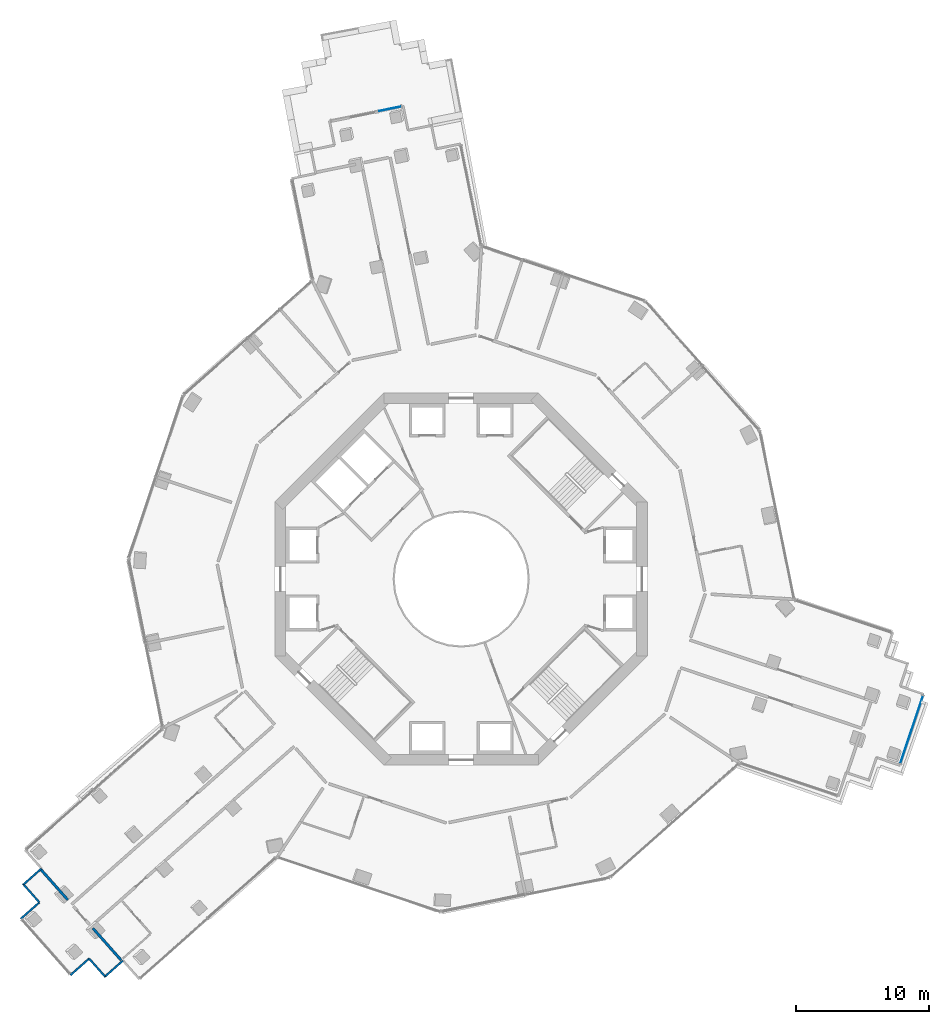
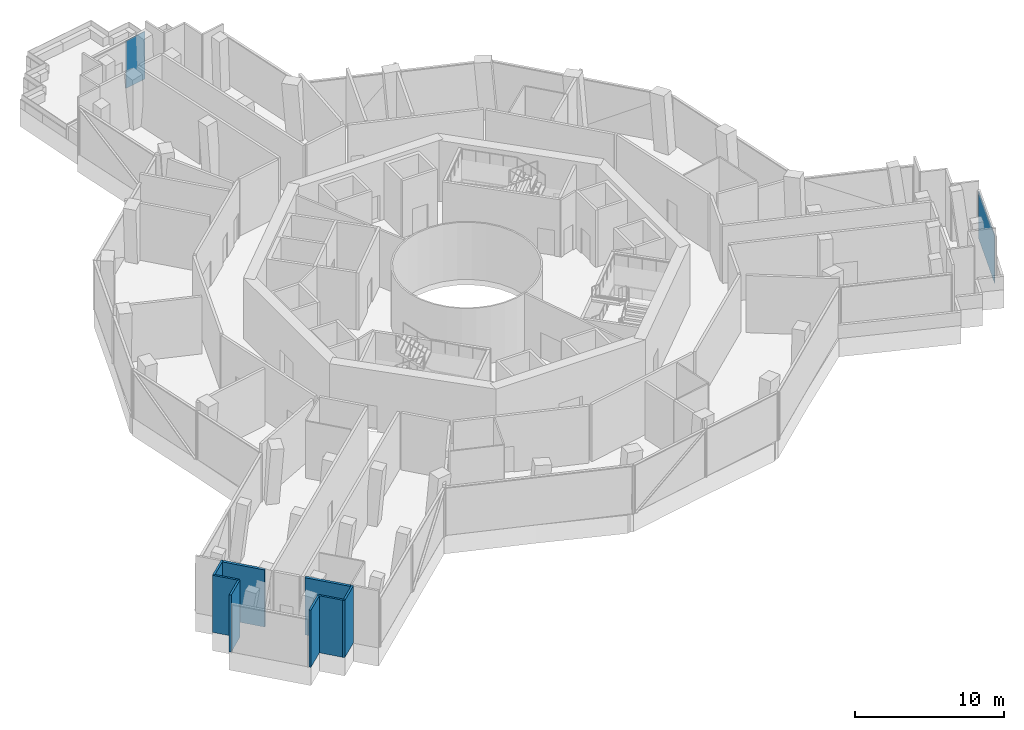
# One storey, part 9 of 20: 8 walls, 2 plates, 2 elements without a shape of their own.
"""IFC4 building model written with IfcOpenShell, lengths in metres."""

from ifc_helpers import new_model, si_unit, direction, frame, frame_2d, origin, origin_2d, place, context, subcontext, project, spatial, rectangle, extrude, material, layer, layer_set, type_object, element, aggregate, save


model = new_model("IFC4")

# Units and contexts
model_context = context("Model", 3, precision=1e-05, world=origin(), true_north=direction((0.0, 1.0)))
body_context = subcontext(model_context, "Body", "Model", "MODEL_VIEW")
ifc_project = project(units=[si_unit("LENGTHUNIT", "METRE"), si_unit("AREAUNIT", "SQUARE_METRE"), si_unit("VOLUMEUNIT", "CUBIC_METRE"), si_unit("PLANEANGLEUNIT", "RADIAN"), si_unit("MASSUNIT", "GRAM", prefix="KILO")], contexts=[model_context])

# Site, building, storey
site_placement = place(None, origin())
site = spatial("IfcSite", under=ifc_project, at=site_placement, CompositionType="ELEMENT")
building_placement = place(site_placement, origin())
building = spatial("IfcBuilding", under=site, at=building_placement, Name="Verdalira Terraces Hotel", CompositionType="ELEMENT")
storey_placement = place(building_placement, frame((0.0, 0.0, 81.0)))
storey = spatial("IfcBuildingStorey", under=building, at=storey_placement, Name="L18", CompositionType="ELEMENT", Elevation=81.0)

# Curtain wall, plate
ifc_material_1 = material(Name="Clear glass", Category="glass")
ifc_layer_1 = layer(ifc_material_1, 0.239990234375)
ifc_layer_set_1 = layer_set([ifc_layer_1], Name="CW5 curtain wall")
curtain_wall_type = type_object("IfcCurtainWallType", Name="CW5 curtain wall", PredefinedType="NOTDEFINED", material=ifc_layer_set_1)
curtain_wall_1_placement = place(storey_placement, origin())
curtain_wall_1 = element("IfcCurtainWall", 1, at=curtain_wall_1_placement, inside=storey, type_object=curtain_wall_type, Name="CW5 curtain wall L18 edge 5", PredefinedType="NOTDEFINED")
ifc_material_2 = material(Name="Clear glass", Category="glass")
ifc_layer_2 = layer(ifc_material_2, 0.0439453125)
ifc_layer_set_2 = layer_set([ifc_layer_2], Name="CW5 glass unit 44")
plate_type = type_object("IfcPlateType", Name="CW5 glass unit 44", PredefinedType="CURTAIN_PANEL", material=ifc_layer_set_2)
plate_1_placement = place(storey_placement, frame((-5.330811, 35.36792, 0.0), z_axis=(0.0, 0.0, 1.0), x_axis=(-0.979855052, -0.199709981, 0.0)))
plate_1 = element("IfcPlate", 2, at=plate_1_placement, type_object=plate_type, Name="CW5 glass unit", PredefinedType="CURTAIN_PANEL", context=body_context, shape_type="SweptSolid", body=[
    extrude(rectangle(XDim=1.679932, YDim=0.043945, at=origin_2d()), origin(), (0.0, 0.0, 1.0), 3.915039),
])
aggregate(curtain_wall_1, [plate_1])

curtain_wall_2_placement = place(storey_placement, origin())
curtain_wall_2 = element("IfcCurtainWall", 3, at=curtain_wall_2_placement, inside=storey, type_object=curtain_wall_type, Name="CW5 curtain wall L18 edge 33", PredefinedType="NOTDEFINED")
plate_2_placement = place(storey_placement, frame((33.878174, -11.322266, 0.0), z_axis=(0.0, 0.0, 1.0), x_axis=(0.31697361, 0.948434358, 0.0)))
plate_2 = element("IfcPlate", 4, at=plate_2_placement, type_object=plate_type, Name="CW5 glass unit", PredefinedType="CURTAIN_PANEL", context=body_context, shape_type="SweptSolid", body=[
    extrude(rectangle(XDim=5.360107, YDim=0.043945, at=origin_2d()), origin(), (0.0, 0.0, 1.0), 3.915039),
])
aggregate(curtain_wall_2, [plate_2])

# Walls
ifc_material_3 = material(Name="Fire-rated gypsum board wall")
ifc_layer_3 = layer(ifc_material_3, 0.199951171875)
ifc_layer_set_3 = layer_set([ifc_layer_3], Name="Service room wall 200 mm")
wall_type_1 = type_object("IfcWallType", Name="Service room wall 200 mm", PredefinedType="SOLIDWALL", material=ifc_layer_set_3)
wall_1_placement = place(storey_placement, frame((-31.679199, -21.77002, 0.0), z_axis=(0.0, 0.0, 1.0), x_axis=(0.66284936, -0.74875278, 0.0)))
element("IfcWall", 5, at=wall_1_placement, inside=storey, type_object=wall_type_1, Name="Service room wall", PredefinedType="SOLIDWALL", context=body_context, shape_type="SweptSolid", body=[
    extrude(rectangle(XDim=3.154541, YDim=0.199951, at=frame_2d((1.577148, 0.0))), origin(), (0.0, 0.0, 1.0), 4.689941),
])
wall_2_placement = place(storey_placement, frame((-27.703369, -26.260742, 0.0), z_axis=(0.0, 0.0, 1.0), x_axis=(0.662863203, -0.748740525, 0.0)))
element("IfcWall", 6, at=wall_2_placement, inside=storey, type_object=wall_type_1, Name="Service room wall", PredefinedType="SOLIDWALL", context=body_context, shape_type="SweptSolid", body=[
    extrude(rectangle(XDim=3.203857, YDim=0.199951, at=frame_2d((1.602051, 0.0))), origin(), (0.0, 0.0, 1.0), 4.689941),
])
ifc_material_4 = material(Name="Terracotta cladding", Category="masonry")
ifc_layer_4 = layer(ifc_material_4, 0.14990234375)
ifc_layer_set_4 = layer_set([ifc_layer_4], Name="Terracotta clad wall 150")
wall_type_2 = type_object("IfcWallType", Name="Terracotta clad wall 150", PredefinedType="SOLIDWALL", material=ifc_layer_set_4)
wall_3_placement = place(storey_placement, frame((-31.573486, -21.776367, 0.0), z_axis=(0.0, 0.0, 1.0), x_axis=(-0.748732427, -0.66287235, 0.0)))
element("IfcWall", 7, at=wall_3_placement, inside=storey, type_object=wall_type_2, Name="Terracotta cladding wall", PredefinedType="SOLIDWALL", context=body_context, shape_type="SweptSolid", body=[
    extrude(rectangle(XDim=1.799805, YDim=0.149902, at=frame_2d((0.899902, 0.0))), origin(), (0.0, 0.0, 1.0), 4.689941),
])
for number, where, z_axis, x_axis, name in (
    (8, (-32.970947, -22.91333, 0.0), (0.0, 0.0, 1.0), (0.662899723, -0.748708192, 0.0), "Terracotta cladding wall"),
    (9, (-31.728027, -24.317139, 0.0), (0.0, 0.0, 1.0), (-0.748708192, -0.662899723, 0.0), "Terracotta cladding wall"),
):
    element("IfcWall", number, at=place(storey_placement, frame(where, z_axis=z_axis, x_axis=x_axis)), inside=storey, type_object=wall_type_2, Name=name, PredefinedType="SOLIDWALL", context=body_context, shape_type="SweptSolid", body=[
        extrude(rectangle(XDim=1.875, YDim=0.149902, at=frame_2d((0.9375, 0.0))), origin(), (0.0, 0.0, 1.0), 4.689941),
    ])
wall_4_placement = place(storey_placement, frame((-29.386719, -29.790527, 0.0), z_axis=(0.0, 0.0, 1.0), x_axis=(0.748765403, 0.662835101, 0.0)))
element("IfcWall", 10, at=wall_4_placement, inside=storey, type_object=wall_type_2, Name="Terracotta cladding wall", PredefinedType="SOLIDWALL", context=body_context, shape_type="SweptSolid", body=[
    extrude(rectangle(XDim=1.875244, YDim=0.149902, at=frame_2d((0.9375, 0.0))), origin(), (0.0, 0.0, 1.0), 4.689941),
])
wall_5_placement = place(storey_placement, frame((-27.982666, -28.547607, 0.0), z_axis=(0.0, 0.0, 1.0), x_axis=(0.66287235, -0.748732427, 0.0)))
element("IfcWall", 11, at=wall_5_placement, inside=storey, type_object=wall_type_2, Name="Terracotta cladding wall", PredefinedType="SOLIDWALL", context=body_context, shape_type="SweptSolid", body=[
    extrude(rectangle(XDim=1.799805, YDim=0.149902, at=frame_2d((0.899902, 0.0))), origin(), (0.0, 0.0, 1.0), 4.689941),
])
wall_6_placement = place(storey_placement, frame((-26.845703, -29.945068, 0.0), z_axis=(0.0, 0.0, 1.0), x_axis=(0.748708192, 0.662899723, 0.0)))
element("IfcWall", 12, at=wall_6_placement, inside=storey, type_object=wall_type_2, Name="Terracotta cladding wall", PredefinedType="SOLIDWALL", context=body_context, shape_type="SweptSolid", body=[
    extrude(rectangle(XDim=1.875, YDim=0.149902, at=frame_2d((0.9375, 0.0))), origin(), (0.0, 0.0, 1.0), 4.689941),
])

save(model, "model.ifc")
